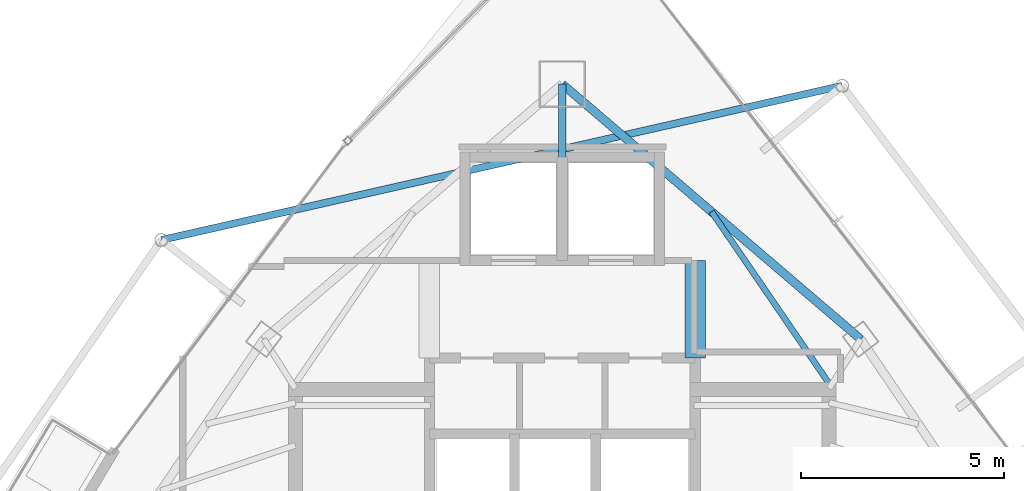
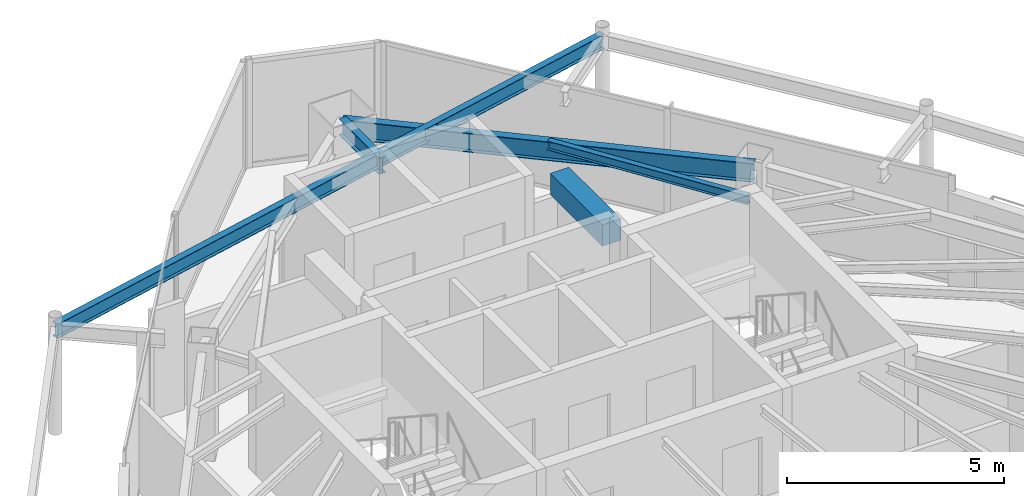
# One storey, part 21 of 28: 5 beams.
"""IFC4 building model written with IfcOpenShell, lengths in metres."""

from ifc_helpers import new_model, si_unit, direction, frame, origin, origin_2d, place, context, subcontext, project, spatial, rectangle, i_section, extrude, material, material_profile, profile_set, type_object, element, save


model = new_model("IFC4")

# Units and contexts
model_context = context("Model", 3, precision=1e-05, world=origin(), true_north=direction((0.0, 1.0)))
body_context = subcontext(model_context, "Body", "Model", "MODEL_VIEW")
ifc_project = project(units=[si_unit("LENGTHUNIT", "METRE"), si_unit("AREAUNIT", "SQUARE_METRE"), si_unit("VOLUMEUNIT", "CUBIC_METRE"), si_unit("PLANEANGLEUNIT", "RADIAN"), si_unit("MASSUNIT", "GRAM", prefix="KILO")], contexts=[model_context])

# Site, building, storey
site_placement = place(None, origin())
site = spatial("IfcSite", under=ifc_project, at=site_placement, CompositionType="ELEMENT")
building_placement = place(site_placement, origin())
building = spatial("IfcBuilding", under=site, at=building_placement, Name="Orvanel Arch Residences", CompositionType="ELEMENT")
storey_placement = place(building_placement, frame((0.0, 0.0, 263.449951171875)))
storey = spatial("IfcBuildingStorey", under=building, at=storey_placement, Name="L75", CompositionType="ELEMENT", Elevation=263.449951171875)

# Beams
ifc_material_1 = material(Name="Structural steel AS/NZS 3679.1 Grade 300 (300 MPa)", Category="steel")
ifc_material_profile_1 = material_profile(ifc_material_1, i_section(OverallWidth=0.19091796875, OverallDepth=0.4599609375, WebThickness=0.010009765625, FlangeThickness=0.01611328125, at=origin_2d()), Name="460UB82.1")
ifc_profile_set_1 = profile_set([ifc_material_profile_1], Name="Structural steel AS/NZS 3679.1 Grade 300 (300 MPa)")
beam_type_1 = type_object("IfcBeamType", Name="BG-460UB", PredefinedType="BEAM", material=ifc_profile_set_1)
beam_1_placement = place(storey_placement, frame((33.0, 39.550048828125, 2.830078125), z_axis=(0.0, 1.0, 0.0), x_axis=(-1.0, 0.0, 0.0)))
element("IfcBeam", 1, at=beam_1_placement, inside=storey, type_object=beam_type_1, Name="L75 North Radial Girder", PredefinedType="BEAM", context=body_context, shape_type="SweptSolid", body=[
    extrude(i_section(OverallWidth=0.19091796875, OverallDepth=0.4599609375, WebThickness=0.010009765625, FlangeThickness=0.01611328125, at=origin_2d()), origin(), (0.0, 0.0, 1.0), 1.847900390625),
])
ifc_material_profile_2 = material_profile(ifc_material_1, i_section(OverallWidth=0.14599609375, OverallDepth=0.251953125, WebThickness=0.006103515625, FlangeThickness=0.008544921875, at=origin_2d()), Name="250UB31.4")
ifc_profile_set_2 = profile_set([ifc_material_profile_2], Name="Structural steel AS/NZS 3679.1 Grade 300 (300 MPa)")
beam_type_2 = type_object("IfcBeamType", Name="BJ-250UB", PredefinedType="JOIST", material=ifc_profile_set_2)
beam_2_placement = place(storey_placement, frame((39.574951171875, 34.02001953125, 2.93408203125), z_axis=(-0.564868085352, 0.825181220188, 0.0), x_axis=(-0.825181220188, -0.564868085352, 0.0)))
element("IfcBeam", 2, at=beam_2_placement, inside=storey, type_object=beam_type_2, Name="L75 NNE2 Wing Floor Joist", PredefinedType="JOIST", context=body_context, shape_type="SweptSolid", body=[
    extrude(i_section(OverallWidth=0.14599609375, OverallDepth=0.251953125, WebThickness=0.006103515625, FlangeThickness=0.008544921875, at=origin_2d()), origin(), (0.0, 0.0, 1.0), 5.132080078125),
])
ifc_material_2 = material(Name="Concrete S65 (65 MPa)", Category="concrete")
ifc_material_profile_3 = material_profile(ifc_material_2, rectangle(XDim=0.5, YDim=0.60009765625, at=origin_2d()), Name="RC500x600")
ifc_profile_set_3 = profile_set([ifc_material_profile_3], Name="Concrete S65 (65 MPa)")
beam_type_3 = type_object("IfcBeamType", Name="CB-500x600", PredefinedType="LINTEL", material=ifc_profile_set_3)
beam_3_placement = place(storey_placement, frame((36.27490234375, 34.64990234375, 2.760009765625), z_axis=(0.0, 1.0, 0.0), x_axis=(-1.0, 0.0, 0.0)))
element("IfcBeam", 3, at=beam_3_placement, inside=storey, type_object=beam_type_3, Name="L75 East Core Lobby Coupling Lintel Beam", PredefinedType="LINTEL", context=body_context, shape_type="SweptSolid", body=[
    extrude(rectangle(XDim=0.5, YDim=0.60009765625, at=origin_2d()), origin(), (0.0, 0.0, 1.0), 2.400146484375),
])
ifc_material_profile_4 = material_profile(ifc_material_1, i_section(OverallWidth=0.177978515625, OverallDepth=0.406005859375, WebThickness=0.0078125, FlangeThickness=0.0126953125, at=origin_2d()), Name="410UB59.7")
ifc_profile_set_4 = profile_set([ifc_material_profile_4], Name="Structural steel AS/NZS 3679.1 Grade 300 (300 MPa)")
beam_type_4 = type_object("IfcBeamType", Name="OB-410UB-EXT", PredefinedType="SPANDREL", material=ifc_profile_set_4)
beam_4_placement = place(storey_placement, frame((39.89697265625, 41.35693359375, 2.85693359375), z_axis=(-0.975286007012, -0.220946157528, 0.0), x_axis=(0.220946157528, -0.975286007012, 0.0)))
element("IfcBeam", 4, at=beam_4_placement, inside=storey, type_object=beam_type_4, Name="L75 Outer Perimeter Floor Ring Beam 12", PredefinedType="SPANDREL", context=body_context, shape_type="SweptSolid", body=[
    extrude(i_section(OverallWidth=0.177978515625, OverallDepth=0.406005859375, WebThickness=0.0078125, FlangeThickness=0.0126953125, at=origin_2d()), origin(), (0.0, 0.0, 1.0), 17.198974609375),
])
ifc_material_profile_5 = material_profile(ifc_material_1, i_section(OverallWidth=0.208984375, OverallDepth=0.532958984375, WebThickness=0.01025390625, FlangeThickness=0.015625, at=origin_2d()), Name="530UB92.4")
ifc_profile_set_5 = profile_set([ifc_material_profile_5], Name="Structural steel AS/NZS 3679.1 Grade 300 (300 MPa)")
beam_type_5 = type_object("IfcBeamType", Name="SP-530UB", PredefinedType="SPANDREL", material=ifc_profile_set_5)
beam_5_placement = place(storey_placement, frame((40.35205078125, 35.113037109375, 2.79296875), z_axis=(-0.760116518398, 0.649786794617, 0.0), x_axis=(-0.649786794617, -0.760116518398, 0.0)))
element("IfcBeam", 5, at=beam_5_placement, inside=storey, type_object=beam_type_5, Name="L75 Perimeter Spandrel Beam 09", PredefinedType="SPANDREL", context=body_context, shape_type="SweptSolid", body=[
    extrude(i_section(OverallWidth=0.208984375, OverallDepth=0.532958984375, WebThickness=0.01025390625, FlangeThickness=0.015625, at=origin_2d()), origin(), (0.0, 0.0, 1.0), 9.67236328125),
])

save(model, "model.ifc")
